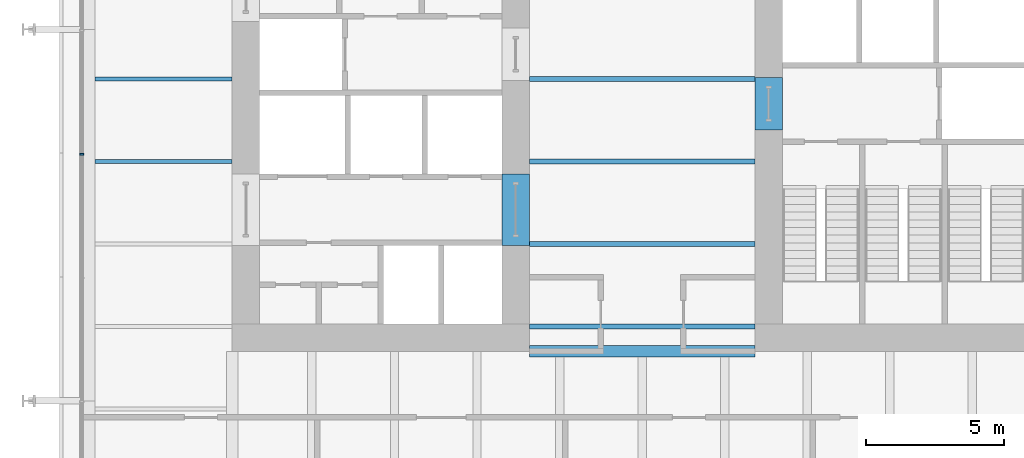
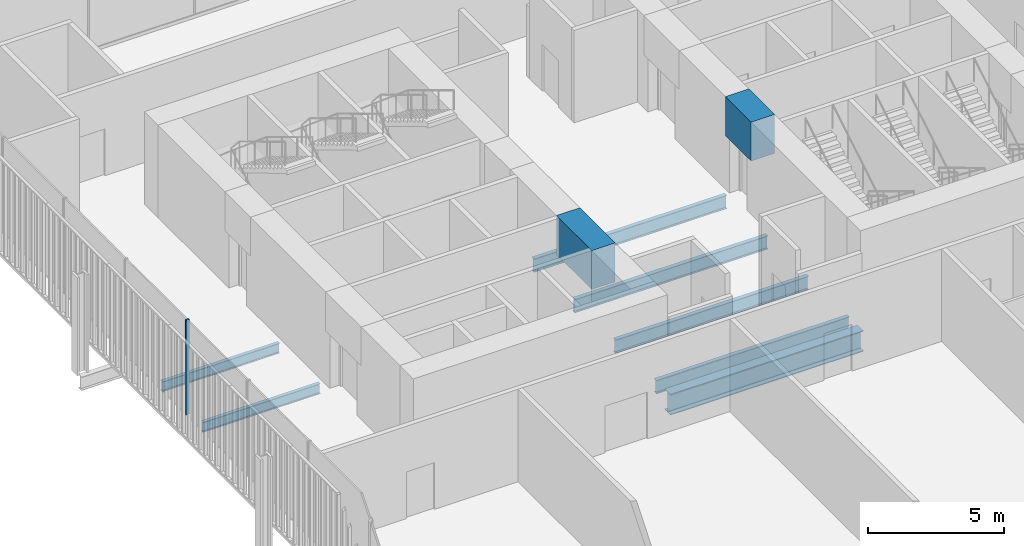
# One storey, part 7 of 20: 9 beams, 1 member, 1 element without a shape of its own.
"""IFC4 building model written with IfcOpenShell, lengths in metres."""

from ifc_helpers import new_model, si_unit, direction, frame, origin, origin_2d, place, context, subcontext, project, spatial, rectangle, i_section, extrude, material, layer, layer_set, material_profile, profile_set, type_object, element, aggregate, save


model = new_model("IFC4")

# Units and contexts
model_context = context("Model", 3, precision=1e-05, world=origin(), true_north=direction((0.0, 1.0)))
body_context = subcontext(model_context, "Body", "Model", "MODEL_VIEW")
ifc_project = project(units=[si_unit("LENGTHUNIT", "METRE"), si_unit("AREAUNIT", "SQUARE_METRE"), si_unit("VOLUMEUNIT", "CUBIC_METRE"), si_unit("PLANEANGLEUNIT", "RADIAN"), si_unit("MASSUNIT", "GRAM", prefix="KILO")], contexts=[model_context])

# Site, building, storey
site_placement = place(None, origin())
site = spatial("IfcSite", under=ifc_project, at=site_placement, CompositionType="ELEMENT")
building_placement = place(site_placement, origin())
building = spatial("IfcBuilding", under=site, at=building_placement, Name="Millrace Tower", CompositionType="ELEMENT")
storey_placement = place(building_placement, frame((0.0, 0.0, 108.39990234375)))
storey = spatial("IfcBuildingStorey", under=building, at=storey_placement, Name="L24", CompositionType="ELEMENT", Elevation=108.39990234375)

# Curtain wall, member
ifc_material_1 = material(Name="Aluminium and glass", Category="aluminium")
ifc_layer = layer(ifc_material_1, 0.14990234375)
ifc_layer_set = layer_set([ifc_layer], Name="Aluminium and glass")
curtain_wall_type = type_object("IfcCurtainWallType", Name="CW-3 telecom floor curtain wall", PredefinedType="NOTDEFINED", material=ifc_layer_set)
curtain_wall_placement = place(storey_placement, origin())
curtain_wall = element("IfcCurtainWall", 1, at=curtain_wall_placement, inside=storey, type_object=curtain_wall_type, Name="Curtain wall B-F08 L24", PredefinedType="NOTDEFINED")
ifc_material_2 = material(Name="Aluminium", Category="aluminium")
ifc_material_profile_1 = material_profile(ifc_material_2, rectangle(XDim=0.06494140625, YDim=0.14990234375, at=origin_2d()))
ifc_profile_set_1 = profile_set([ifc_material_profile_1], Name="Aluminium")
member_type = type_object("IfcMemberType", Name="CW-3 telecom floor curtain wall mullion", PredefinedType="MULLION", material=ifc_profile_set_1)
member_placement = place(storey_placement, frame((-20.375, -2.732421875, 0.150146484375), z_axis=(0.0, 0.0, 1.0), x_axis=(0.0, -1.0, 0.0)))
member = element("IfcMember", 2, at=member_placement, type_object=member_type, Name="CW3 mullion B-F08.5", PredefinedType="MULLION", context=body_context, shape_type="SweptSolid", body=[
    extrude(rectangle(XDim=0.06494140625, YDim=0.14990234375, at=origin_2d()), origin(), (0.0, 0.0, 1.0), 4.25),
])
aggregate(curtain_wall, [member])

# Beams
ifc_material_3 = material(Name="Concrete C80", Category="concrete")
ifc_material_profile_2 = material_profile(ifc_material_3, rectangle(XDim=1.0, YDim=1.75, at=origin_2d()))
ifc_profile_set_2 = profile_set([ifc_material_profile_2], Name="Concrete C80")
beam_type_1 = type_object("IfcBeamType", Name="Coupling beam 1000 x 1750 Concrete C80, 1300 opening", PredefinedType="BEAM", material=ifc_profile_set_2)
beam_1_placement = place(storey_placement, frame((4.60009765625, 0.050048828125, 3.275146484375), z_axis=(0.0, -1.0, 0.0), x_axis=(1.0, 0.0, 0.0)))
element("IfcBeam", 3, at=beam_1_placement, inside=storey, type_object=beam_type_1, Name="Coupling beam E L24", PredefinedType="BEAM", context=body_context, shape_type="SweptSolid", body=[
    extrude(rectangle(XDim=1.0, YDim=1.75, at=origin_2d()), origin(), (0.0, 0.0, 1.0), 1.900146484375),
])
ifc_material_4 = material(Name="Concrete C80", Category="concrete")
ifc_material_profile_3 = material_profile(ifc_material_4, rectangle(XDim=1.0, YDim=1.75, at=origin_2d()))
ifc_profile_set_3 = profile_set([ifc_material_profile_3], Name="Concrete C80")
beam_type_2 = type_object("IfcBeamType", Name="Coupling beam 1000 x 1750 Concrete C80, 2000 opening", PredefinedType="BEAM", material=ifc_profile_set_3)
beam_2_placement = place(storey_placement, frame((-4.60009765625, -6.050048828125, 3.275146484375), z_axis=(0.0, 1.0, 0.0), x_axis=(-1.0, 0.0, 0.0)))
element("IfcBeam", 4, at=beam_2_placement, inside=storey, type_object=beam_type_2, Name="Coupling beam W L24", PredefinedType="BEAM", context=body_context, shape_type="SweptSolid", body=[
    extrude(rectangle(XDim=1.0, YDim=1.75, at=origin_2d()), origin(), (0.0, 0.0, 1.0), 2.60009765625),
])
ifc_material_5 = material(Name="Steel ASTM A992 Grade 50", Category="steel")
ifc_material_profile_4 = material_profile(ifc_material_5, i_section(OverallWidth=0.15234375, OverallDepth=0.449462890625, WebThickness=0.007568359375, FlangeThickness=0.0107421875, FilletRadius=0.01025390625, at=origin_2d()))
ifc_profile_set_4 = profile_set([ifc_material_profile_4], Name="Steel ASTM A992 Grade 50")
beam_type_3 = type_object("IfcBeamType", Name="Floor beam W18x35", PredefinedType="JOIST", material=ifc_profile_set_4)
for number, where, z_axis, x_axis, name in (
    (5, (-19.880859375, -3.0, -0.4248046875), (1.0, 0.0, 0.0), (0.0, 1.0, 0.0), "BM-B-L24-S1-S020"),
    (6, (-19.880859375, 0.0, -0.4248046875), (1.0, 0.0, 0.0), (0.0, 1.0, 0.0), "BM-B-L24-S1-S023"),
):
    element("IfcBeam", number, at=place(storey_placement, frame(where, z_axis=z_axis, x_axis=x_axis)), inside=storey, type_object=beam_type_3, Name=name, PredefinedType="JOIST", context=body_context, shape_type="SweptSolid", body=[
        extrude(i_section(OverallWidth=0.15234375, OverallDepth=0.449462890625, WebThickness=0.007568359375, FlangeThickness=0.0107421875, FilletRadius=0.01025390625, at=origin_2d()), origin(), (0.0, 0.0, 1.0), 4.98095703125),
    ])
ifc_material_6 = material(Name="Steel ASTM A992 Grade 50", Category="steel")
ifc_material_profile_5 = material_profile(ifc_material_6, i_section(OverallWidth=0.177978515625, OverallDepth=0.599365234375, WebThickness=0.010009765625, FlangeThickness=0.012939453125, FilletRadius=0.012939453125, at=origin_2d()))
ifc_profile_set_5 = profile_set([ifc_material_profile_5], Name="Steel ASTM A992 Grade 50")
beam_type_4 = type_object("IfcBeamType", Name="Floor beam W24x55", PredefinedType="JOIST", material=ifc_profile_set_5)
for number, where, z_axis, x_axis, name in (
    (7, (-4.10009765625, -9.0, -0.49951171875), (1.0, 0.0, 0.0), (0.0, 1.0, 0.0), "BM-B-L24-S1-S013"),
    (8, (-4.10009765625, -6.0, -0.49951171875), (1.0, 0.0, 0.0), (0.0, 1.0, 0.0), "BM-B-L24-S1-S016"),
    (9, (-4.10009765625, -3.0, -0.49951171875), (1.0, 0.0, 0.0), (0.0, 1.0, 0.0), "BM-B-L24-S1-S019"),
    (10, (-4.10009765625, 0.0, -0.49951171875), (1.0, 0.0, 0.0), (0.0, 1.0, 0.0), "BM-B-L24-S1-S022"),
):
    element("IfcBeam", number, at=place(storey_placement, frame(where, z_axis=z_axis, x_axis=x_axis)), inside=storey, type_object=beam_type_4, Name=name, PredefinedType="JOIST", context=body_context, shape_type="SweptSolid", body=[
        extrude(i_section(OverallWidth=0.177978515625, OverallDepth=0.599365234375, WebThickness=0.010009765625, FlangeThickness=0.012939453125, FilletRadius=0.012939453125, at=origin_2d()), origin(), (0.0, 0.0, 1.0), 8.2001953125),
    ])
ifc_material_7 = material(Name="Steel ASTM A992 Grade 50", Category="steel")
ifc_material_profile_6 = material_profile(ifc_material_7, i_section(OverallWidth=0.421630859375, OverallDepth=0.937255859375, WebThickness=0.021240234375, FlangeThickness=0.03662109375, FilletRadius=0.024169921875, at=origin_2d()))
ifc_profile_set_6 = profile_set([ifc_material_profile_6], Name="Steel ASTM A992 Grade 50")
beam_type_5 = type_object("IfcBeamType", Name="Girder short span W36x262", PredefinedType="BEAM", material=ifc_profile_set_6)
beam_3_placement = place(storey_placement, frame((-4.10009765625, -9.89990234375, -0.66845703125), z_axis=(1.0, 0.0, 0.0), x_axis=(0.0, 1.0, 0.0)))
element("IfcBeam", 11, at=beam_3_placement, inside=storey, type_object=beam_type_5, Name="BM-B-L24-S1-G063", PredefinedType="BEAM", context=body_context, shape_type="SweptSolid", body=[
    extrude(i_section(OverallWidth=0.421630859375, OverallDepth=0.937255859375, WebThickness=0.021240234375, FlangeThickness=0.03662109375, FilletRadius=0.024169921875, at=origin_2d()), origin(), (0.0, 0.0, 1.0), 8.2001953125),
])

save(model, "model.ifc")
